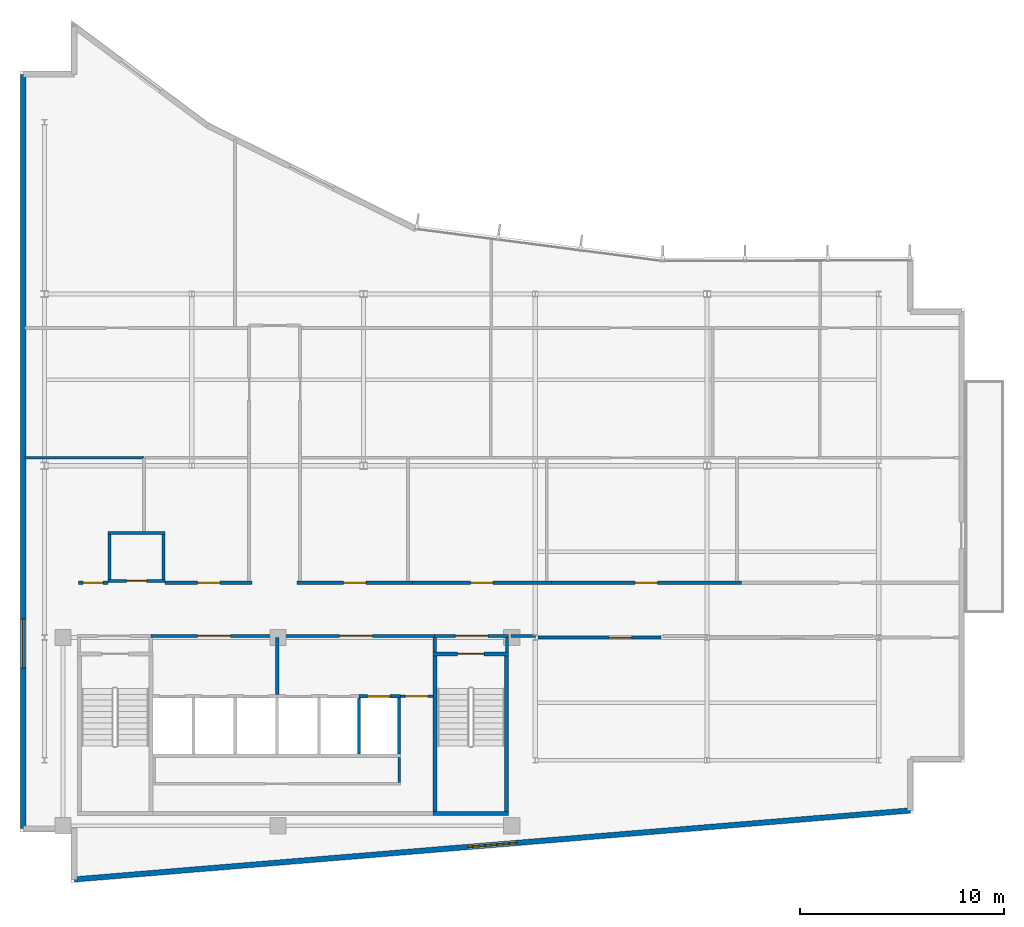
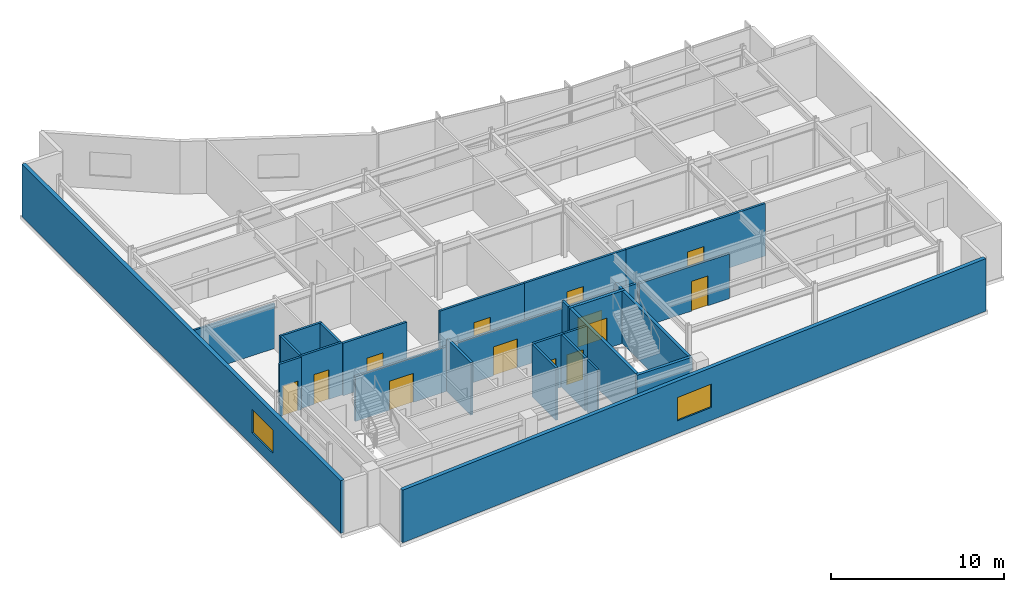
# One storey, part 10 of 15: 29 walls, 13 doors, 2 windows, 15 openings.
"""IFC4 building model written with IfcOpenShell, lengths in metres."""

from ifc_helpers import new_model, si_unit, direction, frame, frame_2d, origin, place, context, subcontext, project, spatial, rectangle, extrude, material, layer, layer_set, type_object, element, fill, save


model = new_model("IFC4")

# Units and contexts
model_context = context("Model", 3, precision=1e-05, world=origin(), true_north=direction((0.0, 1.0)))
body_context = subcontext(model_context, "Body", "Model", "MODEL_VIEW")
ifc_project = project(units=[si_unit("LENGTHUNIT", "METRE"), si_unit("AREAUNIT", "SQUARE_METRE"), si_unit("VOLUMEUNIT", "CUBIC_METRE"), si_unit("PLANEANGLEUNIT", "RADIAN"), si_unit("MASSUNIT", "GRAM", prefix="KILO")], contexts=[model_context])

# Site, building, storey
site_placement = place(None, origin())
site = spatial("IfcSite", under=ifc_project, at=site_placement, CompositionType="ELEMENT")
building_placement = place(site_placement, origin())
building = spatial("IfcBuilding", under=site, at=building_placement, Name="Varnakote Quay Hospital", CompositionType="ELEMENT")
storey_placement = place(building_placement, frame((0.0, 0.0, 252.60009765625)))
storey = spatial("IfcBuildingStorey", under=building, at=storey_placement, Name="L62", CompositionType="ELEMENT", Elevation=252.60009765625)

# Wall, opening, door
ifc_material_1 = material(Name="Fire-rated acoustic gypsum stud wall", Category="gypsum")
ifc_layer_1 = layer(ifc_material_1, 0.159912109375)
ifc_layer_set_1 = layer_set([ifc_layer_1], Name="Fire-rated acoustic gypsum stud wall")
wall_type_1 = type_object("IfcWallType", Name="WL-COMP-160", PredefinedType="PARTITIONING", material=ifc_layer_set_1)
wall_1_placement = place(storey_placement, frame((6.39990234375, 12.080078125, 0.0), z_axis=(0.0, 0.0, 1.0), x_axis=(1.0, 0.0, 0.0)))
wall_1 = element("IfcWall", 1, at=wall_1_placement, inside=storey, type_object=wall_type_1, Name="L62 Firefighting Lift Lobby Compartment Wall", PredefinedType="PARTITIONING", context=body_context, shape_type="SweptSolid", body=[
    extrude(rectangle(XDim=6.18017578125, YDim=0.159912109375, at=frame_2d((3.090087890625, 0.0))), origin(), (0.0, 0.0, 1.0), 3.156982421875),
])
opening_1_placement = place(wall_1_placement, frame((2.2900390625, 0.0, 0.0)))
opening_1 = element("IfcOpeningElement", 2, at=opening_1_placement, cuts=wall_1, Name="Opening D-FFL-L62", PredefinedType="OPENING", context=body_context, shape_type="SweptSolid", body=[
    extrude(rectangle(XDim=1.60009765625, YDim=2.050048828125, at=frame_2d((0.800048828125, 1.02490234375))), frame((0.0, 0.08984375, 0.0), z_axis=(0.0, -1.0, 0.0), x_axis=(1.0, 0.0, 0.0)), (0.0, 0.0, 1.0), 0.179931640625),
])
ifc_material_2 = material(Name="Fire-rated double smoke lobby door")
door_type_1 = type_object("IfcDoorType", Name="DR-LOBBY-FD60S-1600x2150", OperationType="NOTDEFINED", PredefinedType="DOOR", material=ifc_material_2)
door_1_placement = place(opening_1_placement, origin())
door_1 = element("IfcDoor", 3, at=door_1_placement, inside=storey, type_object=door_type_1, Name="L62 Firefighting Smoke Vestibule Door", OperationType="DOUBLE_DOOR_SINGLE_SWING", OverallHeight=2.050048828125, OverallWidth=1.60009765625, PredefinedType="DOOR", context=body_context, shape_type="SweptSolid", body=[
    extrude(rectangle(XDim=1.60009765625, YDim=2.050048828125, at=frame_2d((0.800048828125, 1.02490234375))), frame((0.0, 0.02490234375, 0.0), z_axis=(0.0, -1.0, 0.0), x_axis=(1.0, 0.0, 0.0)), (0.0, 0.0, 1.0), 0.050048828125),
])
fill(opening_1, door_1)

# Wall
wall_2_placement = place(storey_placement, frame((12.580078125, 9.2099609375, 0.0), z_axis=(0.0, 0.0, 1.0), x_axis=(0.0, 1.0, 0.0)))
element("IfcWall", 4, at=wall_2_placement, inside=storey, type_object=wall_type_1, Name="L62 Firefighting to Service Lobby Wall", PredefinedType="PARTITIONING", context=body_context, shape_type="SweptSolid", body=[
    extrude(rectangle(XDim=2.7900390625, YDim=0.159912109375, at=frame_2d((1.39501953125, 0.0))), origin(), (0.0, 0.0, 1.0), 3.7099609375),
])

# Wall, opening, door
wall_3_placement = place(storey_placement, frame((12.580078125, 12.080078125, 0.0), z_axis=(0.0, 0.0, 1.0), x_axis=(1.0, 0.0, 0.0)))
wall_3 = element("IfcWall", 5, at=wall_3_placement, inside=storey, type_object=wall_type_1, Name="L62 Clinical Bed Lift Lobby Wall", PredefinedType="PARTITIONING", context=body_context, shape_type="SweptSolid", body=[
    extrude(rectangle(XDim=7.699951171875, YDim=0.159912109375, at=frame_2d((3.85009765625, 0.0))), origin(), (0.0, 0.0, 1.0), 3.156982421875),
])
opening_2_placement = place(wall_3_placement, frame((3.050048828125, 0.0, 0.0)))
opening_2 = element("IfcOpeningElement", 6, at=opening_2_placement, cuts=wall_3, Name="Opening D-SVL-L62", PredefinedType="OPENING", context=body_context, shape_type="SweptSolid", body=[
    extrude(rectangle(XDim=1.60009765625, YDim=2.050048828125, at=frame_2d((0.800048828125, 1.02490234375))), frame((0.0, 0.08984375, 0.0), z_axis=(0.0, -1.0, 0.0), x_axis=(1.0, 0.0, 0.0)), (0.0, 0.0, 1.0), 0.179931640625),
])
door_2_placement = place(opening_2_placement, origin())
door_2 = element("IfcDoor", 7, at=door_2_placement, inside=storey, type_object=door_type_1, Name="L62 Clinical Core Smoke Vestibule Door", OperationType="DOUBLE_DOOR_SINGLE_SWING", OverallHeight=2.050048828125, OverallWidth=1.60009765625, PredefinedType="DOOR", context=body_context, shape_type="SweptSolid", body=[
    extrude(rectangle(XDim=1.60009765625, YDim=2.050048828125, at=frame_2d((0.800048828125, 1.02490234375))), frame((0.0, 0.02490234375, 0.0), z_axis=(0.0, -1.0, 0.0), x_axis=(1.0, 0.0, 0.0)), (0.0, 0.0, 1.0), 0.050048828125),
])
fill(opening_2, door_2)

# Wall
wall_4_placement = place(storey_placement, frame((20.280029296875, 11.300048828125, 0.0), z_axis=(0.0, 0.0, 1.0), x_axis=(0.0, 1.0, 0.0)))
element("IfcWall", 8, at=wall_4_placement, inside=storey, type_object=wall_type_1, Name="L62 East Stair Vestibule Divider Wall", PredefinedType="PARTITIONING", context=body_context, shape_type="SweptSolid", body=[
    extrude(rectangle(XDim=0.699951171875, YDim=0.159912109375, at=frame_2d((0.35009765625, 0.0))), origin(), (0.0, 0.0, 1.0), 3.7099609375),
])

# Wall, opening, door
wall_5_placement = place(storey_placement, frame((20.280029296875, 12.080078125, 0.0), z_axis=(0.0, 0.0, 1.0), x_axis=(1.0, 0.0, 0.0)))
wall_5 = element("IfcWall", 9, at=wall_5_placement, inside=storey, type_object=wall_type_1, Name="L62 East Stair Vestibule Smoke Wall", PredefinedType="PARTITIONING", context=body_context, shape_type="SweptSolid", body=[
    extrude(rectangle(XDim=3.619873046875, YDim=0.159912109375, at=frame_2d((1.81005859375, 0.0))), origin(), (0.0, 0.0, 1.0), 3.156982421875),
])
opening_3_placement = place(wall_5_placement, frame((1.010009765625, 0.0, 0.0)))
opening_3 = element("IfcOpeningElement", 10, at=opening_3_placement, cuts=wall_5, Name="Opening D-ST2L-L62", PredefinedType="OPENING", context=body_context, shape_type="SweptSolid", body=[
    extrude(rectangle(XDim=1.60009765625, YDim=2.050048828125, at=frame_2d((0.800048828125, 1.02490234375))), frame((0.0, 0.08984375, 0.0), z_axis=(0.0, -1.0, 0.0), x_axis=(1.0, 0.0, 0.0)), (0.0, 0.0, 1.0), 0.179931640625),
])
door_3_placement = place(opening_3_placement, origin())
door_3 = element("IfcDoor", 11, at=door_3_placement, inside=storey, type_object=door_type_1, Name="L62 East Stair Vestibule Smoke Door", OperationType="DOUBLE_DOOR_SINGLE_SWING", OverallHeight=2.050048828125, OverallWidth=1.60009765625, PredefinedType="DOOR", context=body_context, shape_type="SweptSolid", body=[
    extrude(rectangle(XDim=1.60009765625, YDim=2.050048828125, at=frame_2d((0.800048828125, 1.02490234375))), frame((0.0, 0.02490234375, 0.0), z_axis=(0.0, -1.0, 0.0), x_axis=(1.0, 0.0, 0.0)), (0.0, 0.0, 1.0), 0.050048828125),
])
fill(opening_3, door_3)

# Walls
wall_6_placement = place(storey_placement, frame((23.820068359375, 11.300048828125, 0.0), z_axis=(0.0, 0.0, 1.0), x_axis=(0.0, 1.0, 0.0)))
element("IfcWall", 12, at=wall_6_placement, inside=storey, type_object=wall_type_1, Name="L62 East Stair Vestibule East Wall", PredefinedType="PARTITIONING", context=body_context, shape_type="SweptSolid", body=[
    extrude(rectangle(XDim=0.699951171875, YDim=0.159912109375, at=frame_2d((0.35009765625, 0.0))), origin(), (0.0, 0.0, 1.0), 3.7099609375),
])
wall_7_placement = place(storey_placement, frame((24.02001953125, 12.080078125, 0.0), z_axis=(0.0, 0.0, 1.0), x_axis=(1.0, 0.0, 0.0)))
element("IfcWall", 13, at=wall_7_placement, inside=storey, type_object=wall_type_1, Name="L62 Corridor South Gap Wall", PredefinedType="PARTITIONING", context=body_context, shape_type="SweptSolid", body=[
    extrude(rectangle(XDim=1.2177734375, YDim=0.159912109375, at=frame_2d((0.60888671875, 0.0))), origin(), (0.0, 0.0, 1.0), 3.156982421875),
])

# Wall, opening, window
ifc_material_3 = material(Name="Precast concrete N50 (f'c 50 MPa)", Category="concrete")
ifc_layer_2 = layer(ifc_material_3, 0.260009765625)
ifc_layer_set_2 = layer_set([ifc_layer_2], Name="Precast concrete N50 (f'c 50 MPa)")
wall_type_2 = type_object("IfcWallType", Name="WL-EXT-BRICK-260", PredefinedType="STANDARD", material=ifc_layer_set_2)
wall_8_placement = place(storey_placement, frame((2.659912109375, 0.173583984375, 0.0), z_axis=(0.0, 0.0, 1.0), x_axis=(0.996611813627, 0.082248969229, 0.0)))
wall_8 = element("IfcWall", 14, at=wall_8_placement, inside=storey, type_object=wall_type_2, Name="L62 Brick-Faced Precast Exterior Wall", PredefinedType="STANDARD", context=body_context, shape_type="SweptSolid", body=[
    extrude(rectangle(XDim=41.01904296875, YDim=0.260009765625, at=frame_2d((20.509521484375, 0.0))), origin(), (0.0, 0.0, 1.0), 3.7099609375),
])
opening_4_placement = place(wall_8_placement, frame((19.3095703125, 0.0, 0.89990234375)))
opening_4 = element("IfcOpeningElement", 15, at=opening_4_placement, cuts=wall_8, Name="Opening WN-0250", PredefinedType="OPENING", context=body_context, shape_type="SweptSolid", body=[
    extrude(rectangle(XDim=2.39990234375, YDim=1.64990234375, at=frame_2d((1.199951171875, 0.824951171875))), frame((0.0, 0.139892578125, 0.0), z_axis=(0.0, -1.0, 0.0), x_axis=(1.0, 0.0, 0.0)), (0.0, 0.0, 1.0), 0.280029296875),
])
ifc_material_4 = material(Name="Double-glazed low-E solar glass", Category="glass")
window_type = type_object("IfcWindowType", Name="WIN-CLIN-2400x1650", PartitioningType="SINGLE_PANEL", PredefinedType="WINDOW", material=ifc_material_4)
window_1_placement = place(opening_4_placement, origin())
window_1 = element("IfcWindow", 16, at=window_1_placement, inside=storey, type_object=window_type, Name="L62 Solar-Control Clinical Window", OverallHeight=1.64990234375, OverallWidth=2.39990234375, PartitioningType="SINGLE_PANEL", PredefinedType="WINDOW", context=body_context, shape_type="SweptSolid", body=[
    extrude(rectangle(XDim=2.39990234375, YDim=1.64990234375, at=frame_2d((1.199951171875, 0.824951171875))), frame((0.0, 0.030029296875, 0.0), z_axis=(0.0, -1.0, 0.0), x_axis=(1.0, 0.0, 0.0)), (0.0, 0.0, 1.0), 0.06005859375),
])
fill(opening_4, window_1)

wall_9_placement = place(storey_placement, frame((0.159912109375, 39.5400390625, 0.0), z_axis=(0.0, 0.0, 1.0), x_axis=(0.0, -1.0, 0.0)))
wall_9 = element("IfcWall", 17, at=wall_9_placement, inside=storey, type_object=wall_type_2, Name="L62 Brick-Faced Precast Exterior Wall", PredefinedType="STANDARD", context=body_context, shape_type="SweptSolid", body=[
    extrude(rectangle(XDim=36.880126953125, YDim=0.260009765625, at=frame_2d((18.43994140625, 0.0))), origin(), (0.0, 0.0, 1.0), 3.7099609375),
])
opening_5_placement = place(wall_9_placement, frame((26.625, 0.0, 0.89990234375)))
opening_5 = element("IfcOpeningElement", 18, at=opening_5_placement, cuts=wall_9, Name="Opening WN-0253", PredefinedType="OPENING", context=body_context, shape_type="SweptSolid", body=[
    extrude(rectangle(XDim=2.39990234375, YDim=1.64990234375, at=frame_2d((1.199951171875, 0.824951171875))), frame((0.0, 0.139892578125, 0.0), z_axis=(0.0, -1.0, 0.0), x_axis=(1.0, 0.0, 0.0)), (0.0, 0.0, 1.0), 0.280029296875),
])
window_2_placement = place(opening_5_placement, origin())
window_2 = element("IfcWindow", 19, at=window_2_placement, inside=storey, type_object=window_type, Name="L62 Solar-Control Clinical Window", OverallHeight=1.64990234375, OverallWidth=2.39990234375, PartitioningType="SINGLE_PANEL", PredefinedType="WINDOW", context=body_context, shape_type="SweptSolid", body=[
    extrude(rectangle(XDim=2.39990234375, YDim=1.64990234375, at=frame_2d((1.199951171875, 0.824951171875))), frame((0.0, 0.030029296875, 0.0), z_axis=(0.0, -1.0, 0.0), x_axis=(1.0, 0.0, 0.0)), (0.0, 0.0, 1.0), 0.06005859375),
])
fill(opening_5, window_2)

# Walls
ifc_material_5 = material(Name="Concrete N50 (f'c 50 MPa)", Category="concrete")
ifc_layer_3 = layer(ifc_material_5, 0.14990234375)
ifc_layer_set_3 = layer_set([ifc_layer_3], Name="Concrete N50 (f'c 50 MPa)")
wall_type_3 = type_object("IfcWallType", Name="WL-SHAFT-N50-150", PredefinedType="SHEAR", material=ifc_layer_set_3)
wall_10_placement = place(storey_placement, frame((16.574951171875, 6.300048828125, 0.0), z_axis=(0.0, 0.0, 1.0), x_axis=(0.0, 1.0, 0.0)))
element("IfcWall", 20, at=wall_10_placement, inside=storey, type_object=wall_type_3, Name="L62 LF-PH1 Hoistway Divider Wall", PredefinedType="SHEAR", context=body_context, shape_type="SweptSolid", body=[
    extrude(rectangle(XDim=2.75, YDim=0.14990234375, at=frame_2d((1.375, 0.0))), origin(), (0.0, 0.0, 1.0), 3.7099609375),
])
ifc_material_6 = material(Name="Concrete N50 (f'c 50 MPa)", Category="concrete")
ifc_layer_4 = layer(ifc_material_6, 0.159912109375)
ifc_layer_set_4 = layer_set([ifc_layer_4], Name="Concrete N50 (f'c 50 MPa)")
wall_type_4 = type_object("IfcWallType", Name="WL-SHAFT-N50-160", PredefinedType="SHEAR", material=ifc_layer_set_4)
wall_11_placement = place(storey_placement, frame((18.530029296875, 6.300048828125, 0.0), z_axis=(0.0, 0.0, 1.0), x_axis=(0.0, 1.0, 0.0)))
element("IfcWall", 21, at=wall_11_placement, inside=storey, type_object=wall_type_4, Name="L62 REAR Lift Bank East Shear Wall", PredefinedType="SHEAR", context=body_context, shape_type="SweptSolid", body=[
    extrude(rectangle(XDim=2.75, YDim=0.159912109375, at=frame_2d((1.375, 0.0))), origin(), (0.0, 0.0, 1.0), 3.7099609375),
])

# Wall, opening, door
wall_12_placement = place(storey_placement, frame((16.574951171875, 9.1298828125, 0.0), z_axis=(0.0, 0.0, 1.0), x_axis=(1.0, 0.0, 0.0)))
wall_12 = element("IfcWall", 22, at=wall_12_placement, inside=storey, type_object=wall_type_4, Name="L62 LF-PH2 Hoistway Front Wall", PredefinedType="SHEAR", context=body_context, shape_type="SweptSolid", body=[
    extrude(rectangle(XDim=2.03515625, YDim=0.159912109375, at=frame_2d((1.017578125, 0.0))), origin(), (0.0, 0.0, 1.0), 3.7099609375),
])
opening_6_placement = place(wall_12_placement, frame((0.425048828125, 0.0, 0.0)))
opening_6 = element("IfcOpeningElement", 23, at=opening_6_placement, cuts=wall_12, Name="Opening LD-PH2-L62", PredefinedType="OPENING", context=body_context, shape_type="SweptSolid", body=[
    extrude(rectangle(XDim=1.10009765625, YDim=2.14990234375, at=frame_2d((0.550048828125, 1.074951171875))), frame((0.0, 0.08984375, 0.0), z_axis=(0.0, -1.0, 0.0), x_axis=(1.0, 0.0, 0.0)), (0.0, 0.0, 1.0), 0.179931640625),
])
ifc_material_7 = material(Name="Brushed bronze lift landing sliding door")
door_type_2 = type_object("IfcDoorType", Name="DR-LIFT-LD-1100x2150", OperationType="NOTDEFINED", PredefinedType="DOOR", material=ifc_material_7)
door_4_placement = place(opening_6_placement, origin())
door_4 = element("IfcDoor", 24, at=door_4_placement, inside=storey, type_object=door_type_2, Name="L62 LF-PH2 Lift Landing Sliding Door", OperationType="SLIDING_TO_LEFT", OverallHeight=2.14990234375, OverallWidth=1.10009765625, PredefinedType="DOOR", context=body_context, shape_type="SweptSolid", body=[
    extrude(rectangle(XDim=1.10009765625, YDim=2.14990234375, at=frame_2d((0.550048828125, 1.074951171875))), frame((0.0, 0.02490234375, 0.0), z_axis=(0.0, -1.0, 0.0), x_axis=(1.0, 0.0, 0.0)), (0.0, 0.0, 1.0), 0.050048828125),
])
fill(opening_6, door_4)

# Walls
ifc_material_8 = material(Name="Concrete N50 (f'c 50 MPa)", Category="concrete")
ifc_layer_5 = layer(ifc_material_8, 0.199951171875)
ifc_layer_set_5 = layer_set([ifc_layer_5], Name="Concrete N50 (f'c 50 MPa)")
wall_type_5 = type_object("IfcWallType", Name="WL-SHAFT-N50-200", PredefinedType="SHEAR", material=ifc_layer_set_5)
wall_13_placement = place(storey_placement, frame((20.199951171875, 3.39990234375, 0.0), z_axis=(0.0, 0.0, 1.0), x_axis=(1.0, 0.0, 0.0)))
element("IfcWall", 25, at=wall_13_placement, inside=storey, type_object=wall_type_5, Name="L62 Stair ST2 South Shaft Wall", PredefinedType="SHEAR", context=body_context, shape_type="SweptSolid", body=[
    extrude(rectangle(XDim=3.699951171875, YDim=0.199951171875, at=frame_2d((1.85009765625, 0.0))), origin(), (0.0, 0.0, 1.0), 3.7099609375),
])
for number, where, z_axis, x_axis, name in (
    (26, (20.300048828125, 3.5, 0.0), (0.0, 0.0, 1.0), (0.0, 1.0, 0.0), "L62 Stair ST2 West Shaft Wall"),
    (27, (23.800048828125, 3.5, 0.0), (0.0, 0.0, 1.0), (0.0, 1.0, 0.0), "L62 Stair ST2 East Shaft Wall"),
):
    element("IfcWall", number, at=place(storey_placement, frame(where, z_axis=z_axis, x_axis=x_axis)), inside=storey, type_object=wall_type_5, Name=name, PredefinedType="SHEAR", context=body_context, shape_type="SweptSolid", body=[
        extrude(rectangle(XDim=7.60009765625, YDim=0.199951171875, at=frame_2d((3.800048828125, 0.0))), origin(), (0.0, 0.0, 1.0), 3.7099609375),
    ])

# Wall, opening, door
wall_14_placement = place(storey_placement, frame((20.199951171875, 11.199951171875, 0.0), z_axis=(0.0, 0.0, 1.0), x_axis=(1.0, 0.0, 0.0)))
wall_14 = element("IfcWall", 28, at=wall_14_placement, inside=storey, type_object=wall_type_5, Name="L62 Stair ST2 Exit Wall", PredefinedType="SHEAR", context=body_context, shape_type="SweptSolid", body=[
    extrude(rectangle(XDim=3.699951171875, YDim=0.199951171875, at=frame_2d((1.85009765625, 0.0))), origin(), (0.0, 0.0, 1.0), 3.7099609375),
])
opening_7_placement = place(wall_14_placement, frame((1.199951171875, 0.0, 0.0)))
opening_7 = element("IfcOpeningElement", 29, at=opening_7_placement, cuts=wall_14, Name="Opening D-ST2-L62", PredefinedType="OPENING", context=body_context, shape_type="SweptSolid", body=[
    extrude(rectangle(XDim=1.300048828125, YDim=2.14990234375, at=frame_2d((0.64990234375, 1.074951171875))), frame((0.0, 0.10986328125, 0.0), z_axis=(0.0, -1.0, 0.0), x_axis=(1.0, 0.0, 0.0)), (0.0, 0.0, 1.0), 0.219970703125),
])
ifc_material_9 = material(Name="Fire-rated ceramic-glazed timber exit door", Category="wood")
door_type_3 = type_object("IfcDoorType", Name="DR-STAIR-FD60S-1300x2150", OperationType="NOTDEFINED", PredefinedType="DOOR", material=ifc_material_9)
door_5_placement = place(opening_7_placement, origin())
door_5 = element("IfcDoor", 30, at=door_5_placement, inside=storey, type_object=door_type_3, Name="L62 Stair ST2 Fire Exit Door", OperationType="SINGLE_SWING_RIGHT", OverallHeight=2.14990234375, OverallWidth=1.300048828125, PredefinedType="DOOR", context=body_context, shape_type="SweptSolid", body=[
    extrude(rectangle(XDim=1.300048828125, YDim=2.14990234375, at=frame_2d((0.64990234375, 1.074951171875))), frame((0.0, 0.02490234375, 0.0), z_axis=(0.0, -1.0, 0.0), x_axis=(1.0, 0.0, 0.0)), (0.0, 0.0, 1.0), 0.050048828125),
])
fill(opening_7, door_5)

# Walls
ifc_material_10 = material(Name="Smoke-proof clinical partition", Category="gypsum")
ifc_layer_6 = layer(ifc_material_10, 0.1201171875)
ifc_layer_set_6 = layer_set([ifc_layer_6], Name="Smoke-proof clinical partition")
wall_type_6 = type_object("IfcWallType", Name="WL-SMOKE-120", PredefinedType="PARTITIONING", material=ifc_layer_set_6)
wall_15_placement = place(storey_placement, frame((18.5400390625, 4.919921875, 0.0), z_axis=(0.0, 0.0, 1.0), x_axis=(0.0, 1.0, 0.0)))
element("IfcWall", 31, at=wall_15_placement, inside=storey, type_object=wall_type_6, Name="L62 Core Service Strip East Wall", PredefinedType="PARTITIONING", context=body_context, shape_type="SweptSolid", body=[
    extrude(rectangle(XDim=1.219970703125, YDim=0.1201171875, at=frame_2d((0.60986328125, 0.0))), origin(), (0.0, 0.0, 1.0), 3.7099609375),
])
ifc_material_11 = material(Name="Smoke-proof clinical partition", Category="gypsum")
ifc_layer_7 = layer(ifc_material_11, 0.135009765625)
ifc_layer_set_7 = layer_set([ifc_layer_7], Name="Smoke-proof clinical partition")
wall_type_7 = type_object("IfcWallType", Name="WL-SMOKE-135", PredefinedType="PARTITIONING", material=ifc_layer_set_7)
wall_16_placement = place(storey_placement, frame((6.06005859375, 20.7900390625, 0.0), z_axis=(0.0, 0.0, 1.0), x_axis=(-1.0, 0.0, 0.0)))
element("IfcWall", 32, at=wall_16_placement, inside=storey, type_object=wall_type_7, Name="L62 Clinical Interior Partition", PredefinedType="PARTITIONING", context=body_context, shape_type="SweptSolid", body=[
    extrude(rectangle(XDim=5.820068359375, YDim=0.135009765625, at=frame_2d((2.91015625, 0.0))), origin(), (0.0, 0.0, 1.0), 3.156982421875),
])

# Wall, opening, door
ifc_material_12 = material(Name="Fire-rated clinical gypsum partition", Category="gypsum")
ifc_layer_8 = layer(ifc_material_12, 0.139892578125)
ifc_layer_set_8 = layer_set([ifc_layer_8], Name="Fire-rated clinical gypsum partition")
wall_type_8 = type_object("IfcWallType", Name="WL-WARD-140", PredefinedType="PARTITIONING", material=ifc_layer_set_8)
wall_17_placement = place(storey_placement, frame((18.610107421875, 9.1298828125, 0.0), z_axis=(0.0, 0.0, 1.0), x_axis=(1.0, 0.0, 0.0)))
wall_17 = element("IfcWall", 33, at=wall_17_placement, inside=storey, type_object=wall_type_8, Name="L62 Core Service Corridor North Door Wall", PredefinedType="PARTITIONING", context=body_context, shape_type="SweptSolid", body=[
    extrude(rectangle(XDim=1.58984375, YDim=0.139892578125, at=frame_2d((0.794921875, 0.0))), origin(), (0.0, 0.0, 1.0), 3.7099609375),
])
opening_8_placement = place(wall_17_placement, frame((0.239990234375, 0.0, 0.0)))
opening_8 = element("IfcOpeningElement", 34, at=opening_8_placement, cuts=wall_17, Name="Opening D-CSRV-L62", PredefinedType="OPENING", context=body_context, shape_type="SweptSolid", body=[
    extrude(rectangle(XDim=1.10009765625, YDim=2.10009765625, at=frame_2d((0.550048828125, 1.050048828125))), frame((0.0, 0.079833984375, 0.0), z_axis=(0.0, -1.0, 0.0), x_axis=(1.0, 0.0, 0.0)), (0.0, 0.0, 1.0), 0.159912109375),
])
ifc_material_13 = material(Name="Acoustic timber clinical consult door", Category="wood")
door_type_4 = type_object("IfcDoorType", Name="DR-CLIN-FD30S-1100x2100", OperationType="NOTDEFINED", PredefinedType="DOOR", material=ifc_material_13)
door_6_placement = place(opening_8_placement, origin())
door_6 = element("IfcDoor", 35, at=door_6_placement, inside=storey, type_object=door_type_4, Name="L62 Core Service Corridor Door", OperationType="SINGLE_SWING_RIGHT", OverallHeight=2.10009765625, OverallWidth=1.10009765625, PredefinedType="DOOR", context=body_context, shape_type="SweptSolid", body=[
    extrude(rectangle(XDim=1.10009765625, YDim=2.10009765625, at=frame_2d((0.550048828125, 1.050048828125))), frame((0.0, 0.02490234375, 0.0), z_axis=(0.0, -1.0, 0.0), x_axis=(1.0, 0.0, 0.0)), (0.0, 0.0, 1.0), 0.050048828125),
])
fill(opening_8, door_6)

wall_18_placement = place(storey_placement, frame((4.31005859375, 14.77001953125, 0.0), z_axis=(0.0, 0.0, 1.0), x_axis=(1.0, 0.0, 0.0)))
wall_18 = element("IfcWall", 36, at=wall_18_placement, inside=storey, type_object=wall_type_8, Name="L62 Floor Unisex Accessible WC S Wall", PredefinedType="PARTITIONING", context=body_context, shape_type="SweptSolid", body=[
    extrude(rectangle(XDim=2.780029296875, YDim=0.139892578125, at=frame_2d((1.39013671875, 0.0))), origin(), (0.0, 0.0, 1.0), 3.7099609375),
])
opening_9_placement = place(wall_18_placement, frame((0.89990234375, 0.0, 0.0)))
opening_9 = element("IfcOpeningElement", 37, at=opening_9_placement, cuts=wall_18, Name="Opening D-L62-EW01", PredefinedType="OPENING", context=body_context, shape_type="SweptSolid", body=[
    extrude(rectangle(XDim=0.97998046875, YDim=2.10009765625, at=frame_2d((0.489990234375, 1.050048828125))), frame((0.0, 0.079833984375, 0.0), z_axis=(0.0, -1.0, 0.0), x_axis=(1.0, 0.0, 0.0)), (0.0, 0.0, 1.0), 0.159912109375),
])
ifc_material_14 = material(Name="Accessible sanitary compartment door")
door_type_5 = type_object("IfcDoorType", Name="DR-WC-980x2100", OperationType="NOTDEFINED", PredefinedType="DOOR", material=ifc_material_14)
door_7_placement = place(opening_9_placement, origin())
door_7 = element("IfcDoor", 38, at=door_7_placement, inside=storey, type_object=door_type_5, Name="L62 Floor Unisex Accessible WC Door", OperationType="SINGLE_SWING_LEFT", OverallHeight=2.10009765625, OverallWidth=0.97998046875, PredefinedType="DOOR", context=body_context, shape_type="SweptSolid", body=[
    extrude(rectangle(XDim=0.97998046875, YDim=2.10009765625, at=frame_2d((0.489990234375, 1.050048828125))), frame((0.0, 0.02490234375, 0.0), z_axis=(0.0, -1.0, 0.0), x_axis=(1.0, 0.0, 0.0)), (0.0, 0.0, 1.0), 0.050048828125),
])
fill(opening_9, door_7)

# Walls
wall_19_placement = place(storey_placement, frame((4.31005859375, 17.110107421875, 0.0), z_axis=(0.0, 0.0, 1.0), x_axis=(1.0, 0.0, 0.0)))
element("IfcWall", 39, at=wall_19_placement, inside=storey, type_object=wall_type_8, Name="L62 Floor Unisex Accessible WC N Wall", PredefinedType="PARTITIONING", context=body_context, shape_type="SweptSolid", body=[
    extrude(rectangle(XDim=2.780029296875, YDim=0.139892578125, at=frame_2d((1.39013671875, 0.0))), origin(), (0.0, 0.0, 1.0), 3.7099609375),
])
for number, where, z_axis, x_axis, name in (
    (40, (4.3798828125, 14.840087890625, 0.0), (0.0, 0.0, 1.0), (0.0, 1.0, 0.0), "L62 Floor Unisex Accessible WC W Wall"),
    (41, (7.02001953125, 14.840087890625, 0.0), (0.0, 0.0, 1.0), (0.0, 1.0, 0.0), "L62 Floor Unisex Accessible WC E Wall"),
):
    element("IfcWall", number, at=place(storey_placement, frame(where, z_axis=z_axis, x_axis=x_axis)), inside=storey, type_object=wall_type_8, Name=name, PredefinedType="PARTITIONING", context=body_context, shape_type="SweptSolid", body=[
        extrude(rectangle(XDim=2.199951171875, YDim=0.139892578125, at=frame_2d((1.10009765625, 0.0))), origin(), (0.0, 0.0, 1.0), 3.7099609375),
    ])

# Wall, opening, door
ifc_material_15 = material(Name="Fire-rated clinical gypsum partition", Category="gypsum")
ifc_layer_9 = layer(ifc_material_15, 0.14990234375)
ifc_layer_set_9 = layer_set([ifc_layer_9], Name="Fire-rated clinical gypsum partition")
wall_type_9 = type_object("IfcWallType", Name="WL-WARD-150", PredefinedType="PARTITIONING", material=ifc_layer_set_9)
wall_20_placement = place(storey_placement, frame((31.35009765625, 12.0, 0.0), z_axis=(0.0, 0.0, 1.0), x_axis=(-1.0, 0.0, 0.0)))
wall_20 = element("IfcWall", 42, at=wall_20_placement, inside=storey, type_object=wall_type_9, Name="L62 Clinical Interior Partition", PredefinedType="PARTITIONING", context=body_context, shape_type="SweptSolid", body=[
    extrude(rectangle(XDim=6.023193359375, YDim=0.14990234375, at=frame_2d((3.01171875, 0.0))), origin(), (0.0, 0.0, 1.0), 3.156982421875),
])
opening_10_placement = place(wall_20_placement, frame((1.44384765625, 0.0, 0.0)))
opening_10 = element("IfcOpeningElement", 43, at=opening_10_placement, cuts=wall_20, Name="Opening D-L62-RL1", PredefinedType="OPENING", context=body_context, shape_type="SweptSolid", body=[
    extrude(rectangle(XDim=1.10009765625, YDim=2.10009765625, at=frame_2d((0.550048828125, 1.050048828125))), frame((0.0, 0.0849609375, 0.0), z_axis=(0.0, -1.0, 0.0), x_axis=(1.0, 0.0, 0.0)), (0.0, 0.0, 1.0), 0.169921875),
])
door_8_placement = place(opening_10_placement, origin())
door_8 = element("IfcDoor", 44, at=door_8_placement, inside=storey, type_object=door_type_4, Name="L62 Day Infusion Treatment Suite Door", OperationType="SINGLE_SWING_RIGHT", OverallHeight=2.10009765625, OverallWidth=1.10009765625, PredefinedType="DOOR", context=body_context, shape_type="SweptSolid", body=[
    extrude(rectangle(XDim=1.10009765625, YDim=2.10009765625, at=frame_2d((0.550048828125, 1.050048828125))), frame((0.0, 0.02490234375, 0.0), z_axis=(0.0, -1.0, 0.0), x_axis=(1.0, 0.0, 0.0)), (0.0, 0.0, 1.0), 0.050048828125),
])
fill(opening_10, door_8)

wall_21_placement = place(storey_placement, frame((4.30810546875, 14.679931640625, 0.0), z_axis=(0.0, 0.0, 1.0), x_axis=(-1.0, 0.0, 0.0)))
wall_21 = element("IfcWall", 45, at=wall_21_placement, inside=storey, type_object=wall_type_9, Name="L62 Clinical Interior Partition", PredefinedType="PARTITIONING", context=body_context, shape_type="SweptSolid", body=[
    extrude(rectangle(XDim=1.4580078125, YDim=0.14990234375, at=frame_2d((0.72900390625, 0.0))), origin(), (0.0, 0.0, 1.0), 3.7099609375),
])
opening_11_placement = place(wall_21_placement, frame((0.239013671875, 0.0, 0.0)))
opening_11 = element("IfcOpeningElement", 46, at=opening_11_placement, cuts=wall_21, Name="Opening D-L62-MD01", PredefinedType="OPENING", context=body_context, shape_type="SweptSolid", body=[
    extrude(rectangle(XDim=0.97998046875, YDim=2.10009765625, at=frame_2d((0.489990234375, 1.050048828125))), frame((0.0, 0.0849609375, 0.0), z_axis=(0.0, -1.0, 0.0), x_axis=(1.0, 0.0, 0.0)), (0.0, 0.0, 1.0), 0.169921875),
])
door_9_placement = place(opening_11_placement, origin())
door_9 = element("IfcDoor", 47, at=door_9_placement, inside=storey, type_object=door_type_5, Name="L62 Clinical Simulation Teaching Room Door", OperationType="SINGLE_SWING_LEFT", OverallHeight=2.10009765625, OverallWidth=0.97998046875, PredefinedType="DOOR", context=body_context, shape_type="SweptSolid", body=[
    extrude(rectangle(XDim=0.97998046875, YDim=2.10009765625, at=frame_2d((0.489990234375, 1.050048828125))), frame((0.0, 0.02490234375, 0.0), z_axis=(0.0, -1.0, 0.0), x_axis=(1.0, 0.0, 0.0)), (0.0, 0.0, 1.0), 0.050048828125),
])
fill(opening_11, door_9)

wall_22_placement = place(storey_placement, frame((11.345947265625, 14.679931640625, 0.0), z_axis=(0.0, 0.0, 1.0), x_axis=(-1.0, 0.0, 0.0)))
wall_22 = element("IfcWall", 48, at=wall_22_placement, inside=storey, type_object=wall_type_9, Name="L62 Clinical Interior Partition", PredefinedType="PARTITIONING", context=body_context, shape_type="SweptSolid", body=[
    extrude(rectangle(XDim=4.25390625, YDim=0.14990234375, at=frame_2d((2.126953125, 0.0))), origin(), (0.0, 0.0, 1.0), 3.7099609375),
])
opening_12_placement = place(wall_22_placement, frame((1.576904296875, 0.0, 0.0)))
opening_12 = element("IfcOpeningElement", 49, at=opening_12_placement, cuts=wall_22, Name="Opening D-L62-MD02", PredefinedType="OPENING", context=body_context, shape_type="SweptSolid", body=[
    extrude(rectangle(XDim=1.10009765625, YDim=2.10009765625, at=frame_2d((0.550048828125, 1.050048828125))), frame((0.0, 0.0849609375, 0.0), z_axis=(0.0, -1.0, 0.0), x_axis=(1.0, 0.0, 0.0)), (0.0, 0.0, 1.0), 0.169921875),
])
door_10_placement = place(opening_12_placement, origin())
door_10 = element("IfcDoor", 50, at=door_10_placement, inside=storey, type_object=door_type_4, Name="L62 Rehabilitation Therapy Treatment Suite Door", OperationType="SINGLE_SWING_RIGHT", OverallHeight=2.10009765625, OverallWidth=1.10009765625, PredefinedType="DOOR", context=body_context, shape_type="SweptSolid", body=[
    extrude(rectangle(XDim=1.10009765625, YDim=2.10009765625, at=frame_2d((0.550048828125, 1.050048828125))), frame((0.0, 0.02490234375, 0.0), z_axis=(0.0, -1.0, 0.0), x_axis=(1.0, 0.0, 0.0)), (0.0, 0.0, 1.0), 0.050048828125),
])
fill(opening_12, door_10)

wall_23_placement = place(storey_placement, frame((19.196044921875, 14.679931640625, 0.0), z_axis=(0.0, 0.0, 1.0), x_axis=(-1.0, 0.0, 0.0)))
wall_23 = element("IfcWall", 51, at=wall_23_placement, inside=storey, type_object=wall_type_9, Name="L62 Clinical Interior Partition", PredefinedType="PARTITIONING", context=body_context, shape_type="SweptSolid", body=[
    extrude(rectangle(XDim=5.64208984375, YDim=0.14990234375, at=frame_2d((2.821044921875, 0.0))), origin(), (0.0, 0.0, 1.0), 3.7099609375),
])
opening_13_placement = place(wall_23_placement, frame((2.27099609375, 0.0, 0.0)))
opening_13 = element("IfcOpeningElement", 52, at=opening_13_placement, cuts=wall_23, Name="Opening D-L62-MD03", PredefinedType="OPENING", context=body_context, shape_type="SweptSolid", body=[
    extrude(rectangle(XDim=1.10009765625, YDim=2.10009765625, at=frame_2d((0.550048828125, 1.050048828125))), frame((0.0, 0.0849609375, 0.0), z_axis=(0.0, -1.0, 0.0), x_axis=(1.0, 0.0, 0.0)), (0.0, 0.0, 1.0), 0.169921875),
])
door_11_placement = place(opening_13_placement, origin())
door_11 = element("IfcDoor", 53, at=door_11_placement, inside=storey, type_object=door_type_4, Name="L62 Physiotherapy Consult Office Door", OperationType="SINGLE_SWING_LEFT", OverallHeight=2.10009765625, OverallWidth=1.10009765625, PredefinedType="DOOR", context=body_context, shape_type="SweptSolid", body=[
    extrude(rectangle(XDim=1.10009765625, YDim=2.10009765625, at=frame_2d((0.550048828125, 1.050048828125))), frame((0.0, 0.02490234375, 0.0), z_axis=(0.0, -1.0, 0.0), x_axis=(1.0, 0.0, 0.0)), (0.0, 0.0, 1.0), 0.050048828125),
])
fill(opening_13, door_11)

wall_24_placement = place(storey_placement, frame((25.986083984375, 14.679931640625, 0.0), z_axis=(0.0, 0.0, 1.0), x_axis=(-1.0, 0.0, 0.0)))
wall_24 = element("IfcWall", 54, at=wall_24_placement, inside=storey, type_object=wall_type_9, Name="L62 Clinical Interior Partition", PredefinedType="PARTITIONING", context=body_context, shape_type="SweptSolid", body=[
    extrude(rectangle(XDim=6.7880859375, YDim=0.14990234375, at=frame_2d((3.39404296875, 0.0))), origin(), (0.0, 0.0, 1.0), 3.7099609375),
])
opening_14_placement = place(wall_24_placement, frame((2.843994140625, 0.0, 0.0)))
opening_14 = element("IfcOpeningElement", 55, at=opening_14_placement, cuts=wall_24, Name="Opening D-L62-MD04", PredefinedType="OPENING", context=body_context, shape_type="SweptSolid", body=[
    extrude(rectangle(XDim=1.10009765625, YDim=2.10009765625, at=frame_2d((0.550048828125, 1.050048828125))), frame((0.0, 0.0849609375, 0.0), z_axis=(0.0, -1.0, 0.0), x_axis=(1.0, 0.0, 0.0)), (0.0, 0.0, 1.0), 0.169921875),
])
door_12_placement = place(opening_14_placement, origin())
door_12 = element("IfcDoor", 56, at=door_12_placement, inside=storey, type_object=door_type_4, Name="L62 Case Review Meeting Room Door", OperationType="SINGLE_SWING_RIGHT", OverallHeight=2.10009765625, OverallWidth=1.10009765625, PredefinedType="DOOR", context=body_context, shape_type="SweptSolid", body=[
    extrude(rectangle(XDim=1.10009765625, YDim=2.10009765625, at=frame_2d((0.550048828125, 1.050048828125))), frame((0.0, 0.02490234375, 0.0), z_axis=(0.0, -1.0, 0.0), x_axis=(1.0, 0.0, 0.0)), (0.0, 0.0, 1.0), 0.050048828125),
])
fill(opening_14, door_12)

wall_25_placement = place(storey_placement, frame((35.285888671875, 14.679931640625, 0.0), z_axis=(0.0, 0.0, 1.0), x_axis=(-1.0, 0.0, 0.0)))
wall_25 = element("IfcWall", 57, at=wall_25_placement, inside=storey, type_object=wall_type_9, Name="L62 Clinical Interior Partition", PredefinedType="PARTITIONING", context=body_context, shape_type="SweptSolid", body=[
    extrude(rectangle(XDim=9.2978515625, YDim=0.14990234375, at=frame_2d((4.64892578125, 0.0))), origin(), (0.0, 0.0, 1.0), 3.7099609375),
])
opening_15_placement = place(wall_25_placement, frame((4.09912109375, 0.0, 0.0)))
opening_15 = element("IfcOpeningElement", 58, at=opening_15_placement, cuts=wall_25, Name="Opening D-L62-MD05", PredefinedType="OPENING", context=body_context, shape_type="SweptSolid", body=[
    extrude(rectangle(XDim=1.10009765625, YDim=2.10009765625, at=frame_2d((0.550048828125, 1.050048828125))), frame((0.0, 0.0849609375, 0.0), z_axis=(0.0, -1.0, 0.0), x_axis=(1.0, 0.0, 0.0)), (0.0, 0.0, 1.0), 0.169921875),
])
door_13_placement = place(opening_15_placement, origin())
door_13 = element("IfcDoor", 59, at=door_13_placement, inside=storey, type_object=door_type_4, Name="L62 Clinical Simulation Teaching Room Door", OperationType="SINGLE_SWING_LEFT", OverallHeight=2.10009765625, OverallWidth=1.10009765625, PredefinedType="DOOR", context=body_context, shape_type="SweptSolid", body=[
    extrude(rectangle(XDim=1.10009765625, YDim=2.10009765625, at=frame_2d((0.550048828125, 1.050048828125))), frame((0.0, 0.02490234375, 0.0), z_axis=(0.0, -1.0, 0.0), x_axis=(1.0, 0.0, 0.0)), (0.0, 0.0, 1.0), 0.050048828125),
])
fill(opening_15, door_13)

save(model, "model.ifc")
